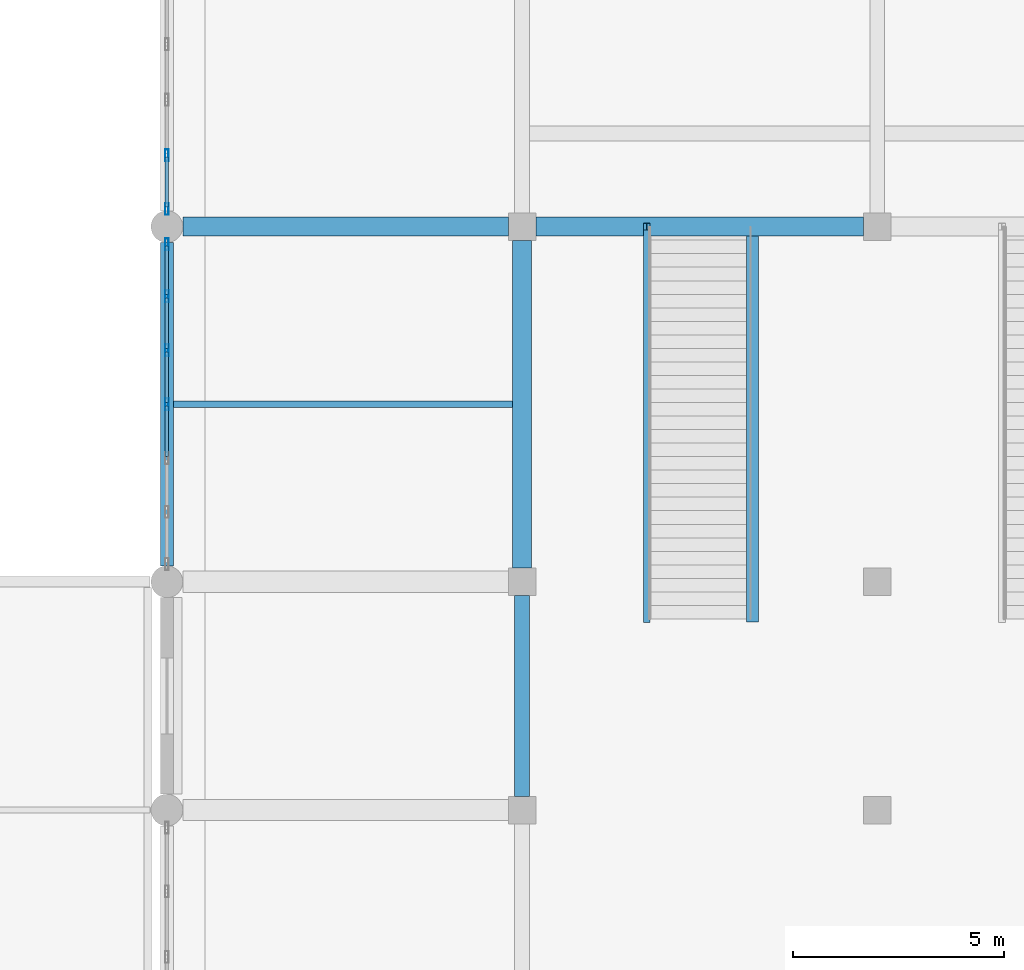
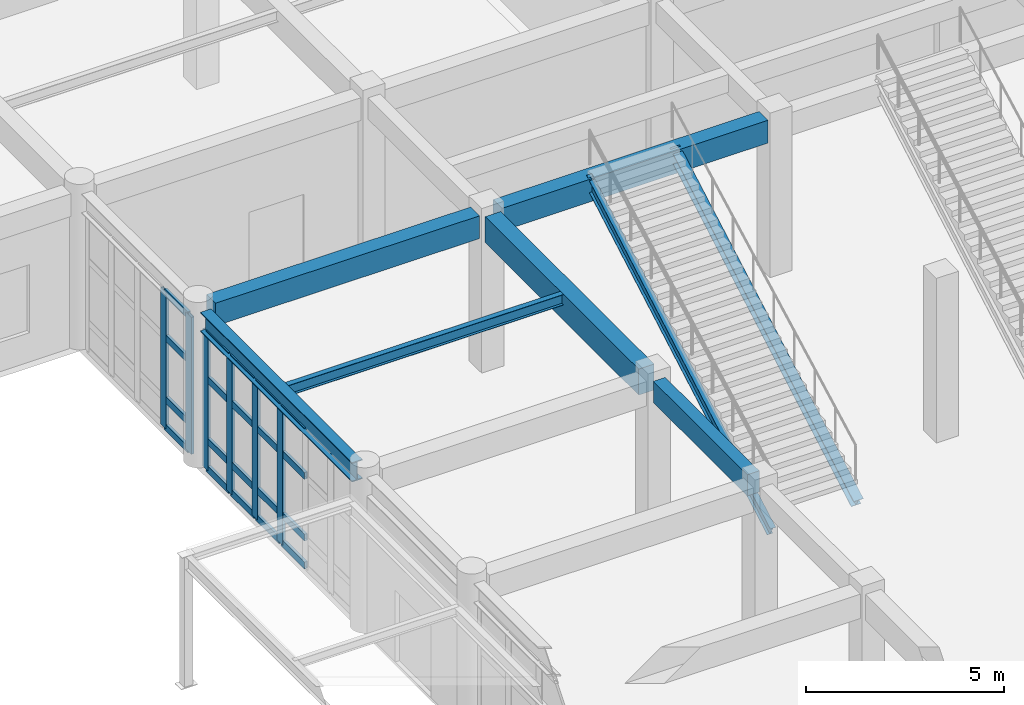
# One storey, part 25 of 80: 28 members, 6 beams, 2 elements without a shape of their own.
"""IFC4 building model written with IfcOpenShell, lengths in metres."""

import ifcopenshell
import ifcopenshell.guid

model = None  # the IFC model being written
_history = None  # IfcOwnerHistory: only IFC2X3 demands one
_inside = {}  # id of a spatial element -> (the spatial element, [elements in it])
_under = {}  # id of a project, library or spatial element -> (it, [spatial elements below it])
_declared = {}  # id of a project -> (the project, [libraries it declares])
_typed = {}  # id of a type object -> (the type object, [elements of that type])
_made_of = {}  # id of a material, layer set ... -> (it, [elements and type objects made of it])


def new_model(schema):
    """Start an empty IFC model of exactly this schema.

    Asked for "IFC4X3", IfcOpenShell would pick the latest addendum, in which some entities
    have other attributes; the version numbers below select the first issue.
    IFC2X3 requires an IfcOwnerHistory on every rooted entity: one is made here for all.
    """
    global model, _history
    if schema == "IFC4X3":
        model = ifcopenshell.file(schema_version=(4, 3, 0, 0))
    else:
        model = ifcopenshell.file(schema=schema)
    _inside.clear()
    _under.clear()
    _declared.clear()
    _typed.clear()
    _made_of.clear()
    _history = None
    if model.schema == "IFC2X3":
        org = make("IfcOrganization", Name="unknown")
        user = make(
            "IfcPersonAndOrganization",
            ThePerson=make("IfcPerson", FamilyName="unknown"),
            TheOrganization=org,
        )
        app = make(
            "IfcApplication",
            ApplicationDeveloper=org,
            Version="unknown",
            ApplicationFullName="unknown",
            ApplicationIdentifier="unknown",
        )
        _history = make(
            "IfcOwnerHistory",
            OwningUser=user,
            OwningApplication=app,
            ChangeAction="ADDED",
            CreationDate=0,
        )
    return model


def make(cls, **values):
    """One entity of the class cls with the attributes given. An attribute that is None is left unset."""
    return model.create_entity(
        cls, **{name: value for name, value in values.items() if value is not None}
    )


def rooted(cls, **values):
    """An entity with a GlobalId (a new one), such as an element, a storey or a relation."""
    return make(cls, GlobalId=ifcopenshell.guid.new(), OwnerHistory=_history, **values)


def si_unit(unit_type, name, prefix=None):
    """IfcSIUnit, for example si_unit("LENGTHUNIT", "METRE", prefix="MILLI")."""
    return make("IfcSIUnit", UnitType=unit_type, Prefix=prefix, Name=name)


def assignment(units):
    """IfcUnitAssignment: the units of a project."""
    return None if units is None else make("IfcUnitAssignment", Units=units)


def point(xyz):
    """IfcCartesianPoint."""
    return None if xyz is None else make("IfcCartesianPoint", Coordinates=xyz)


def direction(xyz):
    """IfcDirection."""
    return None if xyz is None else make("IfcDirection", DirectionRatios=xyz)


def frame(location, z_axis=None, x_axis=None):
    """IfcAxis2Placement3D, a coordinate frame: its origin and axes. An axis left out is left unset."""
    return make(
        "IfcAxis2Placement3D",
        Location=point(location),
        Axis=direction(z_axis),
        RefDirection=direction(x_axis),
    )


def frame_2d(location, x_axis=None):
    """IfcAxis2Placement2D, a coordinate frame in the plane: its origin and x axis."""
    return make(
        "IfcAxis2Placement2D", Location=point(location), RefDirection=direction(x_axis)
    )


def origin():
    """The frame at (0, 0, 0) with its axes left unset."""
    return frame((0.0, 0.0, 0.0))


def origin_2d():
    """The frame at (0, 0) in the plane with its x axis left unset."""
    return frame_2d((0.0, 0.0))


def place(relative_to, where):
    """IfcLocalPlacement: puts the frame where relative to a parent placement (None: the world)."""
    return make(
        "IfcLocalPlacement", PlacementRelTo=relative_to, RelativePlacement=where
    )


def context(
    kind, dimensions, precision=None, world=None, true_north=None, identifier=None
):
    """IfcGeometricRepresentationContext, for example the 3D "Model" context."""
    return make(
        "IfcGeometricRepresentationContext",
        ContextIdentifier=identifier,
        ContextType=kind,
        CoordinateSpaceDimension=dimensions,
        Precision=precision,
        WorldCoordinateSystem=world,
        TrueNorth=true_north,
    )


def subcontext(parent, identifier, kind, view, scale=None):
    """IfcGeometricRepresentationSubContext, for example "Body" below "Model"."""
    return make(
        "IfcGeometricRepresentationSubContext",
        ContextIdentifier=identifier,
        ContextType=kind,
        ParentContext=parent,
        TargetScale=scale,
        TargetView=view,
    )


def project(units=None, contexts=None):
    """IfcProject with its units and contexts."""
    return rooted(
        "IfcProject",
        Name="project",
        RepresentationContexts=contexts,
        UnitsInContext=assignment(units),
    )


def spatial(cls, under=None, at=None, **own):
    """A site, building, storey or space (cls), placed at a placement, below another one or the project."""
    s = rooted(cls, ObjectPlacement=at, **own)
    if under is not None:
        _under.setdefault(under.id(), (under, []))[1].append(s)
    return s


def profile(cls, at=None, kind="AREA", **sizes):
    """A parametric profile (cls). Its sizes go by their IFC names, for example OverallWidth=200.0."""
    return make(cls, ProfileType=kind, Position=at, **sizes)


def rectangle(**sizes):
    """IfcRectangleProfileDef."""
    return profile("IfcRectangleProfileDef", **sizes)


def hollow_rectangle(**sizes):
    """IfcRectangleHollowProfileDef."""
    return profile("IfcRectangleHollowProfileDef", **sizes)


def i_section(**sizes):
    """IfcIShapeProfileDef."""
    return profile("IfcIShapeProfileDef", **sizes)


def extrude(swept, where, along, depth):
    """IfcExtrudedAreaSolid: the profile swept, set in the frame where, extruded along a direction by depth."""
    return make(
        "IfcExtrudedAreaSolid",
        SweptArea=swept,
        Position=where,
        ExtrudedDirection=direction(along),
        Depth=depth,
    )


def shape(context_of_items, identifier, shape_type, items):
    """IfcShapeRepresentation: the items that make up one representation, for example the "Body"."""
    return make(
        "IfcShapeRepresentation",
        ContextOfItems=context_of_items,
        RepresentationIdentifier=identifier,
        RepresentationType=shape_type,
        Items=items,
    )


def material(Name=None, Category=None):
    """IfcMaterial."""
    return make("IfcMaterial", Name=Name, Category=Category)


def layer(
    of_material, thickness, ventilated=None, Name=None, Category=None, Priority=None
):
    """IfcMaterialLayer: one layer of a wall or slab, of a material (None: an air gap)."""
    return make(
        "IfcMaterialLayer",
        Material=of_material,
        LayerThickness=thickness,
        IsVentilated=ventilated,
        Name=Name,
        Category=Category,
        Priority=Priority,
    )


def layer_set(layers, Name=None):
    """IfcMaterialLayerSet."""
    return make("IfcMaterialLayerSet", MaterialLayers=layers, LayerSetName=Name)


def material_profile(
    of_material, cross_section, Name=None, Category=None, Priority=None
):
    """IfcMaterialProfile: a cross section and its material."""
    return make(
        "IfcMaterialProfile",
        Name=Name,
        Material=of_material,
        Profile=cross_section,
        Priority=Priority,
        Category=Category,
    )


def profile_set(profiles, Name=None, composite=None):
    """IfcMaterialProfileSet."""
    return make(
        "IfcMaterialProfileSet",
        Name=Name,
        MaterialProfiles=profiles,
        CompositeProfile=composite,
    )


def made_of(thing, what):
    """Note that an element or type object is made of a material, layer set ...; save() writes the relation."""
    if what is not None:
        _made_of.setdefault(what.id(), (what, []))[1].append(thing)
    return thing


def type_object(cls, material=None, **own):
    """A type object (cls), such as IfcWallType, which elements share."""
    return made_of(rooted(cls, **own), material)


def element(
    cls,
    number,
    at=None,
    inside=None,
    cuts=None,
    type_object=None,
    material=None,
    context=None,
    identifier="Body",
    shape_type=None,
    held_by="IfcProductDefinitionShape",
    body=None,
    shapes=None,
    **own,
):
    """One element of the class cls, such as IfcWall. Its Tag is "e" and its number.

    at: its placement. inside: the storey or other place that contains it. cuts: it is an
    opening in that element (IfcRelVoidsElement). A single representation is given by context,
    identifier, shape_type and body (its items); several are given by shapes. held_by: the class
    of the entity that holds the representations. save() writes the other relations.
    """
    e = rooted(cls, Tag="e%d" % number, ObjectPlacement=at, **own)
    if body is not None:
        shapes = [shape(context, identifier, shape_type, body)]
    if shapes is not None:
        e.Representation = make(held_by, Representations=shapes)
    if inside is not None:
        _inside.setdefault(inside.id(), (inside, []))[1].append(e)
    if cuts is not None:
        rooted(
            "IfcRelVoidsElement", RelatingBuildingElement=cuts, RelatedOpeningElement=e
        )
    if type_object is not None:
        _typed.setdefault(type_object.id(), (type_object, []))[1].append(e)
    return made_of(e, material)


def aggregate(whole, parts):
    """IfcRelAggregates: a whole, such as a stair, and the parts it consists of."""
    return rooted("IfcRelAggregates", RelatingObject=whole, RelatedObjects=parts)


def save(model, path):
    """Write the relations noted so far, then the file.

    IfcRelAggregates (storeys below a building ...), IfcRelContainedInSpatialStructure (elements
    in a storey), IfcRelDefinesByType, IfcRelAssociatesMaterial and IfcRelDeclares: one each for
    every whole, place, type object, material and project.
    """
    for whole, parts in _under.values():
        aggregate(whole, parts)
    for where, things in _inside.values():
        rooted(
            "IfcRelContainedInSpatialStructure",
            RelatedElements=things,
            RelatingStructure=where,
        )
    for kind, things in _typed.values():
        rooted("IfcRelDefinesByType", RelatedObjects=things, RelatingType=kind)
    for what, things in _made_of.values():
        rooted("IfcRelAssociatesMaterial", RelatedObjects=things, RelatingMaterial=what)
    for by, libraries in _declared.values():
        rooted("IfcRelDeclares", RelatingContext=by, RelatedDefinitions=libraries)
    model.write(path)


model = new_model("IFC4")

# Units and contexts
model_context = context("Model", 3, precision=1e-05, world=origin(), true_north=direction((0.0, 1.0)))
body_context = subcontext(model_context, "Body", "Model", "MODEL_VIEW")
ifc_project = project(units=[si_unit("LENGTHUNIT", "METRE"), si_unit("AREAUNIT", "SQUARE_METRE"), si_unit("VOLUMEUNIT", "CUBIC_METRE"), si_unit("PLANEANGLEUNIT", "RADIAN"), si_unit("MASSUNIT", "GRAM", prefix="KILO")], contexts=[model_context])

# Site, building, storey
site_placement = place(None, origin())
site = spatial("IfcSite", under=ifc_project, at=site_placement, CompositionType="ELEMENT")
building_placement = place(site_placement, origin())
building = spatial("IfcBuilding", under=site, at=building_placement, Name="Krzemoval Escarpment Law Courts", CompositionType="ELEMENT")
storey_placement = place(building_placement, origin())
storey = spatial("IfcBuildingStorey", under=building, at=storey_placement, Name="L00", CompositionType="ELEMENT", Elevation=0.0)

# Beams
ifc_material_1 = material(Name="Concrete C40/50", Category="concrete")
ifc_material_profile_1 = material_profile(ifc_material_1, rectangle(XDim=0.35009765625, YDim=0.64990234375, at=origin_2d()), Name="RCB 350x650")
ifc_profile_set_1 = profile_set([ifc_material_profile_1], Name="Concrete C40/50")
beam_type_1 = type_object("IfcBeamType", Name="BM-RC-350x650", PredefinedType="BEAM", material=ifc_profile_set_1)
beam_1_placement = place(storey_placement, frame((16.800048828125, 80.125, 4.4951171875), z_axis=(0.0, 1.0, 0.0), x_axis=(-1.0, 0.0, 0.0)))
element("IfcBeam", 1, at=beam_1_placement, inside=storey, type_object=beam_type_1, Name="Beam FG-L00-0846", PredefinedType="BEAM", context=body_context, shape_type="SweptSolid", body=[
    extrude(rectangle(XDim=0.35009765625, YDim=0.64990234375, at=origin_2d()), origin(), (0.0, 0.0, 1.0), 4.75),
])
ifc_material_2 = material(Name="Concrete C40/50", Category="concrete")
ifc_material_profile_2 = material_profile(ifc_material_2, rectangle(XDim=0.449951171875, YDim=0.699951171875, at=origin_2d()), Name="RCB 450x700")
ifc_profile_set_2 = profile_set([ifc_material_profile_2], Name="Concrete C40/50")
beam_type_2 = type_object("IfcBeamType", Name="BM-RC-450x700", PredefinedType="BEAM", material=ifc_profile_set_2)
beam_2_placement = place(storey_placement, frame((8.77490234375, 93.60009765625, 4.469970703125), z_axis=(1.0, 0.0, 0.0), x_axis=(0.0, 1.0, 0.0)))
element("IfcBeam", 2, at=beam_2_placement, inside=storey, type_object=beam_type_2, Name="Beam FG-L00-0730", PredefinedType="BEAM", context=body_context, shape_type="SweptSolid", body=[
    extrude(rectangle(XDim=0.449951171875, YDim=0.699951171875, at=origin_2d()), origin(), (0.0, 0.0, 1.0), 7.7001953125),
])
beam_3_placement = place(storey_placement, frame((17.125, 93.60009765625, 4.469970703125), z_axis=(1.0, 0.0, 0.0), x_axis=(0.0, 1.0, 0.0)))
element("IfcBeam", 3, at=beam_3_placement, inside=storey, type_object=beam_type_2, Name="Beam FG-L00-0731", PredefinedType="BEAM", context=body_context, shape_type="SweptSolid", body=[
    extrude(rectangle(XDim=0.449951171875, YDim=0.699951171875, at=origin_2d()), origin(), (0.0, 0.0, 1.0), 7.75),
])
ifc_material_3 = material(Name="Concrete C40/50", Category="concrete")
ifc_material_profile_3 = material_profile(ifc_material_3, rectangle(XDim=0.449951171875, YDim=0.800048828125, at=origin_2d()), Name="RCB 450x800")
ifc_profile_set_3 = profile_set([ifc_material_profile_3], Name="Concrete C40/50")
beam_type_3 = type_object("IfcBeamType", Name="BM-RC-450x800", PredefinedType="BEAM", material=ifc_profile_set_3)
beam_4_placement = place(storey_placement, frame((16.800048828125, 85.52490234375, 4.419921875), z_axis=(0.0, 1.0, 0.0), x_axis=(-1.0, 0.0, 0.0)))
element("IfcBeam", 4, at=beam_4_placement, inside=storey, type_object=beam_type_3, Name="Beam FG-L00-0847", PredefinedType="BEAM", context=body_context, shape_type="SweptSolid", body=[
    extrude(rectangle(XDim=0.449951171875, YDim=0.800048828125, at=origin_2d()), origin(), (0.0, 0.0, 1.0), 7.75),
])

# Curtain wall, members
ifc_material_4 = material(Name="Aluminium 6063-T6", Category="aluminium")
ifc_layer = layer(ifc_material_4, 0.280029296875)
ifc_layer_set = layer_set([ifc_layer], Name="Aluminium 6063-T6")
curtain_wall_type = type_object("IfcCurtainWallType", Name="CW-HALL-5100", PredefinedType="USERDEFINED", material=ifc_layer_set)
curtain_wall_1_placement = place(storey_placement, origin())
curtain_wall_1 = element("IfcCurtainWall", 5, at=curtain_wall_1_placement, inside=storey, type_object=curtain_wall_type, Name="Unitised Curtain Wall FCW-L00-004", ObjectType="UNITISED_CURTAIN_WALL", PredefinedType="USERDEFINED")
ifc_material_5 = material(Name="Aluminium 6063-T6", Category="aluminium")
ifc_material_profile_4 = material_profile(ifc_material_5, hollow_rectangle(XDim=0.0849609375, YDim=0.280029296875, WallThickness=0.005615234375, at=origin_2d()), Name="ALU M85x280")
ifc_profile_set_4 = profile_set([ifc_material_profile_4], Name="Aluminium 6063-T6")
member_type_1 = type_object("IfcMemberType", Name="CWM-85x280", PredefinedType="MULLION", material=ifc_profile_set_4)
member_1_placement = place(storey_placement, frame((8.39990234375, 89.39990234375, 0.0), z_axis=(0.0, 0.0, 1.0), x_axis=(-1.0, 0.0, 0.0)))
member_1 = element("IfcMember", 6, at=member_1_placement, type_object=member_type_1, Name="FCW-L00-004 mullion 4", PredefinedType="MULLION", context=body_context, shape_type="SweptSolid", body=[
    extrude(hollow_rectangle(XDim=0.0849609375, YDim=0.280029296875, WallThickness=0.005615234375, at=origin_2d()), origin(), (0.0, 0.0, 1.0), 4.219970703125),
])
member_2_placement = place(storey_placement, frame((8.39990234375, 90.675048828125, 0.0), z_axis=(0.0, 0.0, 1.0), x_axis=(-1.0, 0.0, 0.0)))
member_2 = element("IfcMember", 7, at=member_2_placement, type_object=member_type_1, Name="FCW-L00-004 mullion 5", PredefinedType="MULLION", context=body_context, shape_type="SweptSolid", body=[
    extrude(hollow_rectangle(XDim=0.0849609375, YDim=0.280029296875, WallThickness=0.005615234375, at=origin_2d()), origin(), (0.0, 0.0, 1.0), 4.219970703125),
])
member_3_placement = place(storey_placement, frame((8.39990234375, 91.949951171875, 0.0), z_axis=(0.0, 0.0, 1.0), x_axis=(-1.0, 0.0, 0.0)))
member_3 = element("IfcMember", 8, at=member_3_placement, type_object=member_type_1, Name="FCW-L00-004 mullion 6", PredefinedType="MULLION", context=body_context, shape_type="SweptSolid", body=[
    extrude(hollow_rectangle(XDim=0.0849609375, YDim=0.280029296875, WallThickness=0.005615234375, at=origin_2d()), origin(), (0.0, 0.0, 1.0), 4.219970703125),
])
member_4_placement = place(storey_placement, frame((8.39990234375, 93.1826171875, 0.0), z_axis=(0.0, 0.0, 1.0), x_axis=(-1.0, 0.0, 0.0)))
member_4 = element("IfcMember", 9, at=member_4_placement, type_object=member_type_1, Name="FCW-L00-004 mullion 7", PredefinedType="MULLION", context=body_context, shape_type="SweptSolid", body=[
    extrude(hollow_rectangle(XDim=0.0849609375, YDim=0.280029296875, WallThickness=0.005615234375, at=origin_2d()), origin(), (0.0, 0.0, 1.0), 4.219970703125),
])

curtain_wall_2_placement = place(storey_placement, origin())
curtain_wall_2 = element("IfcCurtainWall", 10, at=curtain_wall_2_placement, inside=storey, type_object=curtain_wall_type, Name="Unitised Curtain Wall FCW-L00-005", ObjectType="UNITISED_CURTAIN_WALL", PredefinedType="USERDEFINED")
member_5_placement = place(storey_placement, frame((8.39990234375, 94.017578125, 0.0), z_axis=(0.0, 0.0, 1.0), x_axis=(-1.0, 0.0, 0.0)))
member_5 = element("IfcMember", 11, at=member_5_placement, type_object=member_type_1, Name="FCW-L00-005 mullion 1", PredefinedType="MULLION", context=body_context, shape_type="SweptSolid", body=[
    extrude(hollow_rectangle(XDim=0.0849609375, YDim=0.280029296875, WallThickness=0.005615234375, at=origin_2d()), origin(), (0.0, 0.0, 1.0), 4.219970703125),
])
member_6_placement = place(storey_placement, frame((8.39990234375, 95.28759765625, 0.0), z_axis=(0.0, 0.0, 1.0), x_axis=(-1.0, 0.0, 0.0)))
member_6 = element("IfcMember", 12, at=member_6_placement, type_object=member_type_1, Name="FCW-L00-005 mullion 2", PredefinedType="MULLION", context=body_context, shape_type="SweptSolid", body=[
    extrude(hollow_rectangle(XDim=0.0849609375, YDim=0.280029296875, WallThickness=0.005615234375, at=origin_2d()), origin(), (0.0, 0.0, 1.0), 4.219970703125),
])

# Member
ifc_material_6 = material(Name="Aluminium 6063-T6", Category="aluminium")
ifc_material_profile_5 = material_profile(ifc_material_6, hollow_rectangle(XDim=0.0849609375, YDim=0.2099609375, WallThickness=0.005615234375, at=origin_2d()), Name="ALU T85x210")
ifc_profile_set_5 = profile_set([ifc_material_profile_5], Name="Aluminium 6063-T6")
member_type_2 = type_object("IfcMemberType", Name="CWT-85x210", PredefinedType="USERDEFINED", material=ifc_profile_set_5)
member_7_placement = place(storey_placement, frame((8.39990234375, 88.16748046875, 0.04248046875), z_axis=(0.0, 1.0, 0.0), x_axis=(-1.0, 0.0, 0.0)))
member_7 = element("IfcMember", 13, at=member_7_placement, type_object=member_type_2, Name="FCW-L00-004 transom 3.1", ObjectType="TRANSOM", PredefinedType="USERDEFINED", context=body_context, shape_type="SweptSolid", body=[
    extrude(hollow_rectangle(XDim=0.0849609375, YDim=0.2099609375, WallThickness=0.005615234375, at=origin_2d()), origin(), (0.0, 0.0, 1.0), 1.18994140625),
])

member_8_placement = place(storey_placement, frame((8.39990234375, 88.16748046875, 0.89990234375), z_axis=(0.0, 1.0, 0.0), x_axis=(-1.0, 0.0, 0.0)))
member_8 = element("IfcMember", 14, at=member_8_placement, type_object=member_type_2, Name="FCW-L00-004 transom 3.2", ObjectType="TRANSOM", PredefinedType="USERDEFINED", context=body_context, shape_type="SweptSolid", body=[
    extrude(hollow_rectangle(XDim=0.0849609375, YDim=0.2099609375, WallThickness=0.005615234375, at=origin_2d()), origin(), (0.0, 0.0, 1.0), 1.18994140625),
])

member_9_placement = place(storey_placement, frame((8.39990234375, 88.16748046875, 2.800048828125), z_axis=(0.0, 1.0, 0.0), x_axis=(-1.0, 0.0, 0.0)))
member_9 = element("IfcMember", 15, at=member_9_placement, type_object=member_type_2, Name="FCW-L00-004 transom 3.3", ObjectType="TRANSOM", PredefinedType="USERDEFINED", context=body_context, shape_type="SweptSolid", body=[
    extrude(hollow_rectangle(XDim=0.0849609375, YDim=0.2099609375, WallThickness=0.005615234375, at=origin_2d()), origin(), (0.0, 0.0, 1.0), 1.18994140625),
])

member_10_placement = place(storey_placement, frame((8.39990234375, 88.16748046875, 4.177490234375), z_axis=(0.0, 1.0, 0.0), x_axis=(-1.0, 0.0, 0.0)))
member_10 = element("IfcMember", 16, at=member_10_placement, type_object=member_type_2, Name="FCW-L00-004 transom 3.4", ObjectType="TRANSOM", PredefinedType="USERDEFINED", context=body_context, shape_type="SweptSolid", body=[
    extrude(hollow_rectangle(XDim=0.0849609375, YDim=0.2099609375, WallThickness=0.005615234375, at=origin_2d()), origin(), (0.0, 0.0, 1.0), 1.18994140625),
])

member_11_placement = place(storey_placement, frame((8.39990234375, 89.4423828125, 0.04248046875), z_axis=(0.0, 1.0, 0.0), x_axis=(-1.0, 0.0, 0.0)))
member_11 = element("IfcMember", 17, at=member_11_placement, type_object=member_type_2, Name="FCW-L00-004 transom 4.1", ObjectType="TRANSOM", PredefinedType="USERDEFINED", context=body_context, shape_type="SweptSolid", body=[
    extrude(hollow_rectangle(XDim=0.0849609375, YDim=0.2099609375, WallThickness=0.005615234375, at=origin_2d()), origin(), (0.0, 0.0, 1.0), 1.190185546875),
])

member_12_placement = place(storey_placement, frame((8.39990234375, 89.4423828125, 0.89990234375), z_axis=(0.0, 1.0, 0.0), x_axis=(-1.0, 0.0, 0.0)))
member_12 = element("IfcMember", 18, at=member_12_placement, type_object=member_type_2, Name="FCW-L00-004 transom 4.2", ObjectType="TRANSOM", PredefinedType="USERDEFINED", context=body_context, shape_type="SweptSolid", body=[
    extrude(hollow_rectangle(XDim=0.0849609375, YDim=0.2099609375, WallThickness=0.005615234375, at=origin_2d()), origin(), (0.0, 0.0, 1.0), 1.190185546875),
])

member_13_placement = place(storey_placement, frame((8.39990234375, 89.4423828125, 2.800048828125), z_axis=(0.0, 1.0, 0.0), x_axis=(-1.0, 0.0, 0.0)))
member_13 = element("IfcMember", 19, at=member_13_placement, type_object=member_type_2, Name="FCW-L00-004 transom 4.3", ObjectType="TRANSOM", PredefinedType="USERDEFINED", context=body_context, shape_type="SweptSolid", body=[
    extrude(hollow_rectangle(XDim=0.0849609375, YDim=0.2099609375, WallThickness=0.005615234375, at=origin_2d()), origin(), (0.0, 0.0, 1.0), 1.190185546875),
])

member_14_placement = place(storey_placement, frame((8.39990234375, 89.4423828125, 4.177490234375), z_axis=(0.0, 1.0, 0.0), x_axis=(-1.0, 0.0, 0.0)))
member_14 = element("IfcMember", 20, at=member_14_placement, type_object=member_type_2, Name="FCW-L00-004 transom 4.4", ObjectType="TRANSOM", PredefinedType="USERDEFINED", context=body_context, shape_type="SweptSolid", body=[
    extrude(hollow_rectangle(XDim=0.0849609375, YDim=0.2099609375, WallThickness=0.005615234375, at=origin_2d()), origin(), (0.0, 0.0, 1.0), 1.190185546875),
])

member_15_placement = place(storey_placement, frame((8.39990234375, 90.717529296875, 0.04248046875), z_axis=(0.0, 1.0, 0.0), x_axis=(-1.0, 0.0, 0.0)))
member_15 = element("IfcMember", 21, at=member_15_placement, type_object=member_type_2, Name="FCW-L00-004 transom 5.1", ObjectType="TRANSOM", PredefinedType="USERDEFINED", context=body_context, shape_type="SweptSolid", body=[
    extrude(hollow_rectangle(XDim=0.0849609375, YDim=0.2099609375, WallThickness=0.005615234375, at=origin_2d()), origin(), (0.0, 0.0, 1.0), 1.18994140625),
])

member_16_placement = place(storey_placement, frame((8.39990234375, 90.717529296875, 0.89990234375), z_axis=(0.0, 1.0, 0.0), x_axis=(-1.0, 0.0, 0.0)))
member_16 = element("IfcMember", 22, at=member_16_placement, type_object=member_type_2, Name="FCW-L00-004 transom 5.2", ObjectType="TRANSOM", PredefinedType="USERDEFINED", context=body_context, shape_type="SweptSolid", body=[
    extrude(hollow_rectangle(XDim=0.0849609375, YDim=0.2099609375, WallThickness=0.005615234375, at=origin_2d()), origin(), (0.0, 0.0, 1.0), 1.18994140625),
])

member_17_placement = place(storey_placement, frame((8.39990234375, 90.717529296875, 2.800048828125), z_axis=(0.0, 1.0, 0.0), x_axis=(-1.0, 0.0, 0.0)))
member_17 = element("IfcMember", 23, at=member_17_placement, type_object=member_type_2, Name="FCW-L00-004 transom 5.3", ObjectType="TRANSOM", PredefinedType="USERDEFINED", context=body_context, shape_type="SweptSolid", body=[
    extrude(hollow_rectangle(XDim=0.0849609375, YDim=0.2099609375, WallThickness=0.005615234375, at=origin_2d()), origin(), (0.0, 0.0, 1.0), 1.18994140625),
])

member_18_placement = place(storey_placement, frame((8.39990234375, 90.717529296875, 4.177490234375), z_axis=(0.0, 1.0, 0.0), x_axis=(-1.0, 0.0, 0.0)))
member_18 = element("IfcMember", 24, at=member_18_placement, type_object=member_type_2, Name="FCW-L00-004 transom 5.4", ObjectType="TRANSOM", PredefinedType="USERDEFINED", context=body_context, shape_type="SweptSolid", body=[
    extrude(hollow_rectangle(XDim=0.0849609375, YDim=0.2099609375, WallThickness=0.005615234375, at=origin_2d()), origin(), (0.0, 0.0, 1.0), 1.18994140625),
])

member_19_placement = place(storey_placement, frame((8.39990234375, 91.992431640625, 0.04248046875), z_axis=(0.0, 1.0, 0.0), x_axis=(-1.0, 0.0, 0.0)))
member_19 = element("IfcMember", 25, at=member_19_placement, type_object=member_type_2, Name="FCW-L00-004 transom 6.1", ObjectType="TRANSOM", PredefinedType="USERDEFINED", context=body_context, shape_type="SweptSolid", body=[
    extrude(hollow_rectangle(XDim=0.0849609375, YDim=0.2099609375, WallThickness=0.005615234375, at=origin_2d()), origin(), (0.0, 0.0, 1.0), 1.1474609375),
])

member_20_placement = place(storey_placement, frame((8.39990234375, 91.992431640625, 0.89990234375), z_axis=(0.0, 1.0, 0.0), x_axis=(-1.0, 0.0, 0.0)))
member_20 = element("IfcMember", 26, at=member_20_placement, type_object=member_type_2, Name="FCW-L00-004 transom 6.2", ObjectType="TRANSOM", PredefinedType="USERDEFINED", context=body_context, shape_type="SweptSolid", body=[
    extrude(hollow_rectangle(XDim=0.0849609375, YDim=0.2099609375, WallThickness=0.005615234375, at=origin_2d()), origin(), (0.0, 0.0, 1.0), 1.1474609375),
])

member_21_placement = place(storey_placement, frame((8.39990234375, 91.992431640625, 2.800048828125), z_axis=(0.0, 1.0, 0.0), x_axis=(-1.0, 0.0, 0.0)))
member_21 = element("IfcMember", 27, at=member_21_placement, type_object=member_type_2, Name="FCW-L00-004 transom 6.3", ObjectType="TRANSOM", PredefinedType="USERDEFINED", context=body_context, shape_type="SweptSolid", body=[
    extrude(hollow_rectangle(XDim=0.0849609375, YDim=0.2099609375, WallThickness=0.005615234375, at=origin_2d()), origin(), (0.0, 0.0, 1.0), 1.1474609375),
])

member_22_placement = place(storey_placement, frame((8.39990234375, 91.992431640625, 4.177490234375), z_axis=(0.0, 1.0, 0.0), x_axis=(-1.0, 0.0, 0.0)))
member_22 = element("IfcMember", 28, at=member_22_placement, type_object=member_type_2, Name="FCW-L00-004 transom 6.4", ObjectType="TRANSOM", PredefinedType="USERDEFINED", context=body_context, shape_type="SweptSolid", body=[
    extrude(hollow_rectangle(XDim=0.0849609375, YDim=0.2099609375, WallThickness=0.005615234375, at=origin_2d()), origin(), (0.0, 0.0, 1.0), 1.1474609375),
])

aggregate(curtain_wall_1, [member_1, member_2, member_3, member_4, member_7, member_8, member_9, member_10, member_11, member_12, member_13, member_14, member_15, member_16, member_17, member_18, member_19, member_20, member_21, member_22])

member_23_placement = place(storey_placement, frame((8.39990234375, 94.06005859375, 0.04248046875), z_axis=(0.0, 1.0, 0.0), x_axis=(-1.0, 0.0, 0.0)))
member_23 = element("IfcMember", 29, at=member_23_placement, type_object=member_type_2, Name="FCW-L00-005 transom 1.1", ObjectType="TRANSOM", PredefinedType="USERDEFINED", context=body_context, shape_type="SweptSolid", body=[
    extrude(hollow_rectangle(XDim=0.0849609375, YDim=0.2099609375, WallThickness=0.005615234375, at=origin_2d()), origin(), (0.0, 0.0, 1.0), 1.18505859375),
])

member_24_placement = place(storey_placement, frame((8.39990234375, 94.06005859375, 0.89990234375), z_axis=(0.0, 1.0, 0.0), x_axis=(-1.0, 0.0, 0.0)))
member_24 = element("IfcMember", 30, at=member_24_placement, type_object=member_type_2, Name="FCW-L00-005 transom 1.2", ObjectType="TRANSOM", PredefinedType="USERDEFINED", context=body_context, shape_type="SweptSolid", body=[
    extrude(hollow_rectangle(XDim=0.0849609375, YDim=0.2099609375, WallThickness=0.005615234375, at=origin_2d()), origin(), (0.0, 0.0, 1.0), 1.18505859375),
])

member_25_placement = place(storey_placement, frame((8.39990234375, 94.06005859375, 2.800048828125), z_axis=(0.0, 1.0, 0.0), x_axis=(-1.0, 0.0, 0.0)))
member_25 = element("IfcMember", 31, at=member_25_placement, type_object=member_type_2, Name="FCW-L00-005 transom 1.3", ObjectType="TRANSOM", PredefinedType="USERDEFINED", context=body_context, shape_type="SweptSolid", body=[
    extrude(hollow_rectangle(XDim=0.0849609375, YDim=0.2099609375, WallThickness=0.005615234375, at=origin_2d()), origin(), (0.0, 0.0, 1.0), 1.18505859375),
])

member_26_placement = place(storey_placement, frame((8.39990234375, 94.06005859375, 4.177490234375), z_axis=(0.0, 1.0, 0.0), x_axis=(-1.0, 0.0, 0.0)))
member_26 = element("IfcMember", 32, at=member_26_placement, type_object=member_type_2, Name="FCW-L00-005 transom 1.4", ObjectType="TRANSOM", PredefinedType="USERDEFINED", context=body_context, shape_type="SweptSolid", body=[
    extrude(hollow_rectangle(XDim=0.0849609375, YDim=0.2099609375, WallThickness=0.005615234375, at=origin_2d()), origin(), (0.0, 0.0, 1.0), 1.18505859375),
])

aggregate(curtain_wall_2, [member_5, member_6, member_23, member_24, member_25, member_26])

# Beam
ifc_material_7 = material(Name="Steel S355", Category="steel")
ifc_material_profile_6 = material_profile(ifc_material_7, i_section(OverallWidth=0.159912109375, OverallDepth=0.330078125, WebThickness=0.007568359375, FlangeThickness=0.011474609375, at=origin_2d()), Name="IPE 330")
ifc_profile_set_6 = profile_set([ifc_material_profile_6], Name="Steel S355")
beam_type_4 = type_object("IfcBeamType", Name="JST-S355-IPE330", PredefinedType="JOIST", material=ifc_profile_set_6)
beam_5_placement = place(storey_placement, frame((8.550048828125, 89.39990234375, 4.655029296875), z_axis=(1.0, 0.0, 0.0), x_axis=(0.0, 1.0, 0.0)))
element("IfcBeam", 33, at=beam_5_placement, inside=storey, type_object=beam_type_4, Name="Secondary Joist FJ-L00-1051", PredefinedType="JOIST", context=body_context, shape_type="SweptSolid", body=[
    extrude(i_section(OverallWidth=0.159912109375, OverallDepth=0.330078125, WebThickness=0.007568359375, FlangeThickness=0.011474609375, at=origin_2d()), origin(), (0.0, 0.0, 1.0), 8.02490234375),
])

# Members
ifc_material_8 = material(Name="Steel S355", Category="steel")
ifc_material_profile_7 = material_profile(ifc_material_8, i_section(OverallWidth=0.280029296875, OverallDepth=0.280029296875, WebThickness=0.010498046875, FlangeThickness=0.01806640625, at=origin_2d()), Name="HEB 280")
ifc_profile_set_7 = profile_set([ifc_material_profile_7], Name="Steel S355")
member_type_3 = type_object("IfcMemberType", Name="MBR-STG-HEB280", PredefinedType="STRINGER", material=ifc_profile_set_7)
member_27_placement = place(storey_placement, frame((22.25, 84.320068359375, -0.550048828125), z_axis=(0.0, 0.869566185126, 0.493816412936), x_axis=(-1.0, 0.0, 0.0)))
element("IfcMember", 34, at=member_27_placement, inside=storey, type_object=member_type_3, Name="Stair Stringer STG-0264", PredefinedType="STRINGER", context=body_context, shape_type="SweptSolid", body=[
    extrude(i_section(OverallWidth=0.280029296875, OverallDepth=0.280029296875, WebThickness=0.010498046875, FlangeThickness=0.01806640625, at=origin_2d()), origin(), (0.0, 0.0, 1.0), 10.672119140625),
])
ifc_material_9 = material(Name="Steel S355", Category="steel")
ifc_material_profile_8 = material_profile(ifc_material_9, i_section(OverallWidth=0.159912109375, OverallDepth=0.330078125, WebThickness=0.007568359375, FlangeThickness=0.011474609375, at=origin_2d()), Name="IPE 330")
ifc_profile_set_8 = profile_set([ifc_material_profile_8], Name="Steel S355")
member_type_4 = type_object("IfcMemberType", Name="MBR-STG-IPE330", PredefinedType="STRINGER", material=ifc_profile_set_8)
member_28_placement = place(storey_placement, frame((19.75, 84.320068359375, -0.550048828125), z_axis=(0.0, 0.869566185126, 0.493816412936), x_axis=(-1.0, 0.0, 0.0)))
element("IfcMember", 35, at=member_28_placement, inside=storey, type_object=member_type_4, Name="Stair Stringer STG-0263", PredefinedType="STRINGER", context=body_context, shape_type="SweptSolid", body=[
    extrude(i_section(OverallWidth=0.159912109375, OverallDepth=0.330078125, WebThickness=0.007568359375, FlangeThickness=0.011474609375, at=origin_2d()), origin(), (0.0, 0.0, 1.0), 10.672119140625),
])

# Beam
ifc_material_10 = material(Name="Steel S355", Category="steel")
ifc_material_profile_9 = material_profile(ifc_material_10, i_section(OverallWidth=0.300048828125, OverallDepth=0.60009765625, WebThickness=0.015380859375, FlangeThickness=0.030029296875, at=origin_2d()), Name="HEB 600")
ifc_profile_set_9 = profile_set([ifc_material_profile_9], Name="Steel S355")
beam_type_5 = type_object("IfcBeamType", Name="SPN-S355-HEB600", PredefinedType="SPANDREL", material=ifc_profile_set_9)
beam_6_placement = place(storey_placement, frame((8.39990234375, 85.574951171875, 4.52001953125), z_axis=(0.0, 1.0, 0.0), x_axis=(-1.0, 0.0, 0.0)))
element("IfcBeam", 36, at=beam_6_placement, inside=storey, type_object=beam_type_5, Name="Beam FG-L00-0831", PredefinedType="SPANDREL", context=body_context, shape_type="SweptSolid", body=[
    extrude(i_section(OverallWidth=0.300048828125, OverallDepth=0.60009765625, WebThickness=0.015380859375, FlangeThickness=0.030029296875, at=origin_2d()), origin(), (0.0, 0.0, 1.0), 7.650146484375),
])

save(model, "model.ifc")
